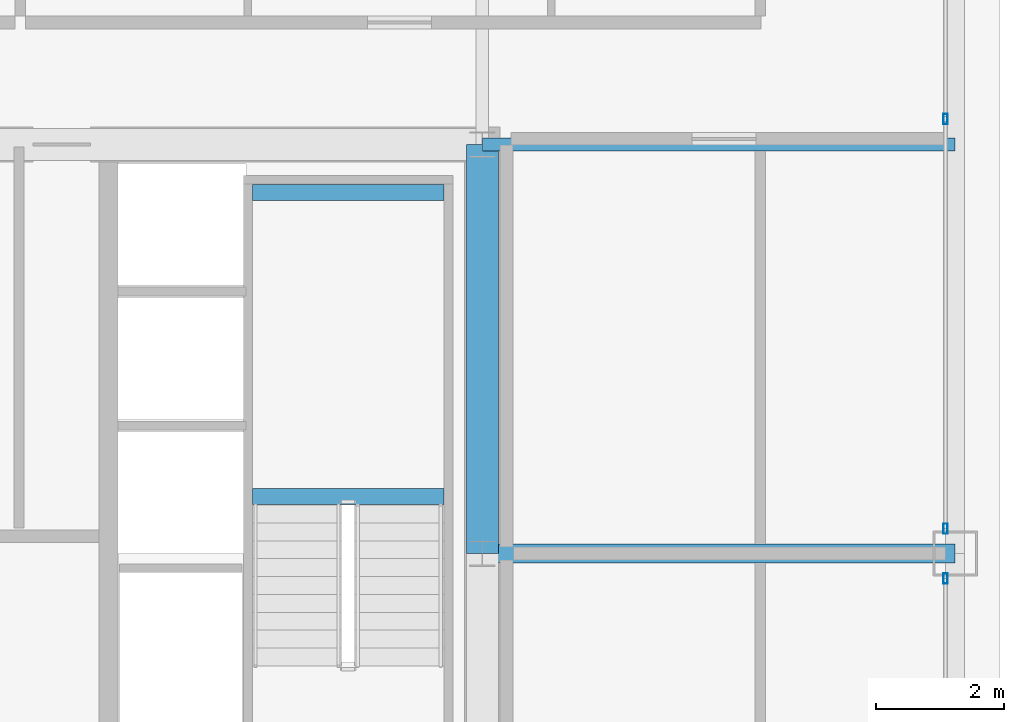
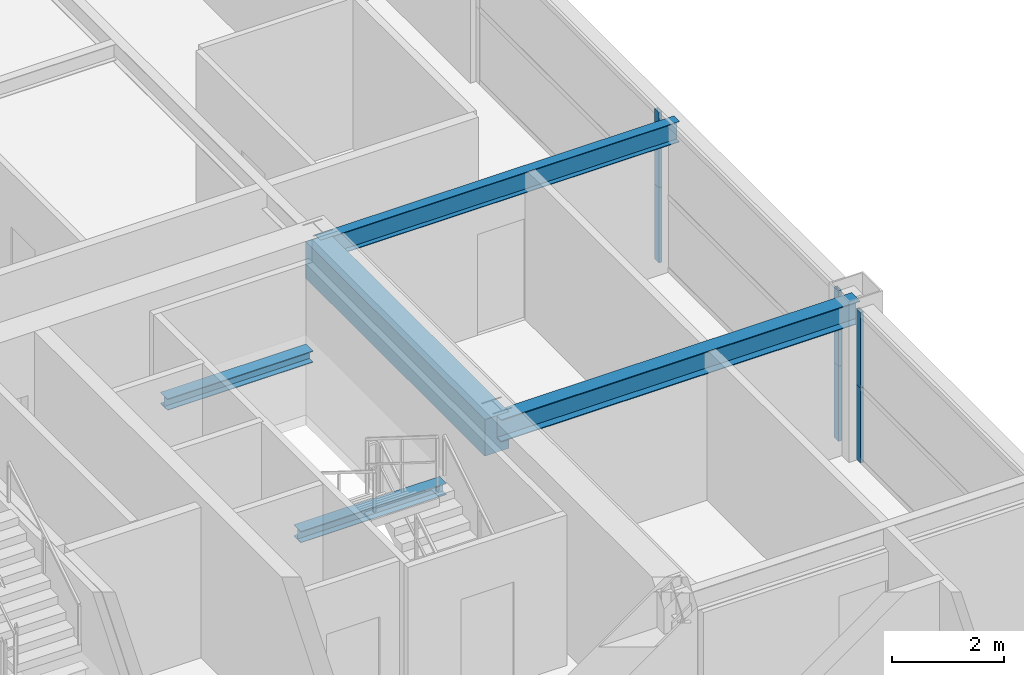
# One storey, part 20 of 36: 6 members, 5 beams, 2 elements without a shape of their own.
"""IFC4 building model written with IfcOpenShell, lengths in metres."""

from ifc_helpers import new_model, si_unit, direction, frame, origin, origin_2d, place, context, subcontext, project, spatial, rectangle, hollow_rectangle, i_section, extrude, source, transform, mapped, material, layer, layer_set, material_profile, profile_set, type_object, element, aggregate, save


model = new_model("IFC4")

# Units and contexts
model_context = context("Model", 3, precision=1e-05, world=origin(), true_north=direction((0.0, 1.0)))
body_context = subcontext(model_context, "Body", "Model", "MODEL_VIEW")
ifc_project = project(units=[si_unit("LENGTHUNIT", "METRE"), si_unit("AREAUNIT", "SQUARE_METRE"), si_unit("VOLUMEUNIT", "CUBIC_METRE"), si_unit("PLANEANGLEUNIT", "RADIAN"), si_unit("MASSUNIT", "GRAM", prefix="KILO"), si_unit("THERMODYNAMICTEMPERATUREUNIT", "KELVIN"), si_unit("POWERUNIT", "WATT")], contexts=[model_context])

# Site, building, storey
site_placement = place(None, origin())
site = spatial("IfcSite", under=ifc_project, at=site_placement, CompositionType="ELEMENT")
building_placement = place(site_placement, origin())
building = spatial("IfcBuilding", under=site, at=building_placement, Name="Yuzanri Waterfront Tower", CompositionType="ELEMENT")
storey_placement = place(building_placement, frame((0.0, 0.0, 238.10009765625)))
storey = spatial("IfcBuildingStorey", under=building, at=storey_placement, Name="L63", CompositionType="ELEMENT", Elevation=238.10009765625)

# Beams
ifc_material_1 = material(Name="Concrete C50", Category="concrete")
ifc_material_profile_1 = material_profile(ifc_material_1, rectangle(XDim=0.5, YDim=0.800048828125, at=origin_2d()), Name="RC 500x800")
ifc_profile_set_1 = profile_set([ifc_material_profile_1], Name="Concrete C50")
beam_type_1 = type_object("IfcBeamType", Name="Core Coupling Lintel Concrete C50 500x800", PredefinedType="LINTEL", material=ifc_profile_set_1)
shared_shape_1 = source(origin(), body_context, "Body", "SweptSolid", [
    extrude(rectangle(XDim=0.5, YDim=0.800048828125, at=origin_2d()), origin(), (0.0, 0.0, 1.0), 6.39990234375),
])
beam_1_placement = place(storey_placement, frame((50.199951171875, 25.800048828125, 2.8798828125), z_axis=(0.0, 1.0, 0.0), x_axis=(-1.0, 0.0, 0.0)))
element("IfcBeam", 1, at=beam_1_placement, inside=storey, type_object=beam_type_1, Name="L63 Core Tie Beam CE2", PredefinedType="LINTEL", context=body_context, shape_type="MappedRepresentation", body=[
    mapped(shared_shape_1, transform((0.0, 0.0, 0.0), scale=1.0)),
])
ifc_material_2 = material(Name="Steel Q355B", Category="steel")
ifc_material_profile_2 = material_profile(ifc_material_2, i_section(OverallWidth=0.300048828125, OverallDepth=0.488037109375, WebThickness=0.010986328125, FlangeThickness=0.01806640625, at=origin_2d()), Name="HM 488x300x11x18")
ifc_profile_set_2 = profile_set([ifc_material_profile_2], Name="Steel Q355B")
beam_type_2 = type_object("IfcBeamType", Name="Primary Floor Girder Q355B HM 488x300", PredefinedType="BEAM", material=ifc_profile_set_2)
shared_shape_2 = source(origin(), body_context, "Body", "SweptSolid", [
    extrude(i_section(OverallWidth=0.300048828125, OverallDepth=0.488037109375, WebThickness=0.010986328125, FlangeThickness=0.01806640625, at=origin_2d()), origin(), (0.0, 0.0, 1.0), 7.400146484375),
])
beam_2_placement = place(storey_placement, frame((50.199951171875, 25.800048828125, 3.035888671875), z_axis=(1.0, 0.0, 0.0), x_axis=(0.0, 1.0, 0.0)))
element("IfcBeam", 2, at=beam_2_placement, inside=storey, type_object=beam_type_2, Name="L63 East Grid Girder", PredefinedType="BEAM", context=body_context, shape_type="MappedRepresentation", body=[
    mapped(shared_shape_2, transform((0.0, 0.0, 0.0), scale=1.0)),
])
ifc_material_3 = material(Name="Steel Q355B", Category="steel")
ifc_material_profile_3 = material_profile(ifc_material_3, i_section(OverallWidth=0.199951171875, OverallDepth=0.449951171875, WebThickness=0.009033203125, FlangeThickness=0.013916015625, at=origin_2d()), Name="HN 450x200x9x14")
ifc_profile_set_3 = profile_set([ifc_material_profile_3], Name="Steel Q355B")
beam_type_3 = type_object("IfcBeamType", Name="Secondary Floor Beam Q355B HN 450x200", PredefinedType="BEAM", material=ifc_profile_set_3)
shared_shape_3 = source(origin(), body_context, "Body", "SweptSolid", [
    extrude(i_section(OverallWidth=0.199951171875, OverallDepth=0.449951171875, WebThickness=0.009033203125, FlangeThickness=0.013916015625, at=origin_2d()), origin(), (0.0, 0.0, 1.0), 7.400146484375),
])
beam_3_placement = place(storey_placement, frame((50.199951171875, 32.199951171875, 3.054931640625), z_axis=(1.0, 0.0, 0.0), x_axis=(0.0, 1.0, 0.0)))
element("IfcBeam", 3, at=beam_3_placement, inside=storey, type_object=beam_type_3, Name="L63 East-North Core Line Beam", PredefinedType="BEAM", context=body_context, shape_type="MappedRepresentation", body=[
    mapped(shared_shape_3, transform((0.0, 0.0, 0.0), scale=1.0)),
])

# Curtain wall, members
ifc_material_4 = material(Name="Anodized Architectural Bronze", Category="metal")
ifc_layer = layer(ifc_material_4, 0.159912109375)
ifc_layer_set = layer_set([ifc_layer], Name="Anodized Architectural Bronze")
curtain_wall_type = type_object("IfcCurtainWallType", Name="Anodized Bronze Mid-Rise Residential Acoustic Unitized Curtain Wall 7200", PredefinedType="NOTDEFINED", material=ifc_layer_set)
curtain_wall_1_placement = place(storey_placement, origin())
curtain_wall_1 = element("IfcCurtainWall", 4, at=curtain_wall_1_placement, inside=storey, type_object=curtain_wall_type, Name="L63 Curtain Wall CW-L63-EL", PredefinedType="NOTDEFINED")
ifc_material_5 = material(Name="Anodized Architectural Bronze", Category="metal")
ifc_material_profile_4 = material_profile(ifc_material_5, hollow_rectangle(XDim=0.06494140625, YDim=0.159912109375, WallThickness=0.00341796875, at=origin_2d()), Name="CWM 65x160")
ifc_profile_set_4 = profile_set([ifc_material_profile_4], Name="Anodized Architectural Bronze")
member_type = type_object("IfcMemberType", Name="Anodized Bronze Upper-Zone Curtain-Wall Mullion 65x160", PredefinedType="MULLION", material=ifc_profile_set_4)
shared_shape_4 = source(origin(), body_context, "Body", "SweptSolid", [
    extrude(hollow_rectangle(XDim=0.06494140625, YDim=0.159912109375, WallThickness=0.00341796875, at=origin_2d()), origin(), (0.0, 0.0, 1.0), 1.637939453125),
])
member_1_placement = place(storey_placement, frame((57.449951171875, 25.409912109375, 0.0), z_axis=(0.0, 0.0, 1.0), x_axis=(1.0, 0.0, 0.0)))
member_1 = element("IfcMember", 5, at=member_1_placement, type_object=member_type, Name="CW-L63-EL Lower Mullion 02", PredefinedType="MULLION", context=body_context, shape_type="MappedRepresentation", body=[
    mapped(shared_shape_4, transform((0.0, 0.0, 0.0), scale=1.0)),
])
member_2_placement = place(storey_placement, frame((57.449951171875, 25.409912109375, 1.641845703125), z_axis=(0.0, 0.0, 1.0), x_axis=(1.0, 0.0, 0.0)))
member_2 = element("IfcMember", 6, at=member_2_placement, type_object=member_type, Name="CW-L63-EL Upper Mullion 02", PredefinedType="MULLION", context=body_context, shape_type="MappedRepresentation", body=[
    mapped(shared_shape_4, transform((0.0, 0.0, 0.0), scale=1.0)),
])
aggregate(curtain_wall_1, [member_1, member_2])

curtain_wall_2_placement = place(storey_placement, origin())
curtain_wall_2 = element("IfcCurtainWall", 7, at=curtain_wall_2_placement, inside=storey, type_object=curtain_wall_type, Name="L63 Curtain Wall CW-L63-ER", PredefinedType="NOTDEFINED")
member_3_placement = place(storey_placement, frame((57.449951171875, 26.18994140625, 0.0), z_axis=(0.0, 0.0, 1.0), x_axis=(1.0, 0.0, 0.0)))
member_3 = element("IfcMember", 8, at=member_3_placement, type_object=member_type, Name="CW-L63-ER Lower Mullion 00", PredefinedType="MULLION", context=body_context, shape_type="MappedRepresentation", body=[
    mapped(shared_shape_4, transform((0.0, 0.0, 0.0), scale=1.0)),
])
member_4_placement = place(storey_placement, frame((57.449951171875, 26.18994140625, 1.641845703125), z_axis=(0.0, 0.0, 1.0), x_axis=(1.0, 0.0, 0.0)))
member_4 = element("IfcMember", 9, at=member_4_placement, type_object=member_type, Name="CW-L63-ER Upper Mullion 00", PredefinedType="MULLION", context=body_context, shape_type="MappedRepresentation", body=[
    mapped(shared_shape_4, transform((0.0, 0.0, 0.0), scale=1.0)),
])
member_5_placement = place(storey_placement, frame((57.449951171875, 32.60009765625, 0.0), z_axis=(0.0, 0.0, 1.0), x_axis=(1.0, 0.0, 0.0)))
member_5 = element("IfcMember", 10, at=member_5_placement, type_object=member_type, Name="CW-L63-ER Lower Mullion 01", PredefinedType="MULLION", context=body_context, shape_type="MappedRepresentation", body=[
    mapped(shared_shape_4, transform((0.0, 0.0, 0.0), scale=1.0)),
])
member_6_placement = place(storey_placement, frame((57.449951171875, 32.60009765625, 1.641845703125), z_axis=(0.0, 0.0, 1.0), x_axis=(1.0, 0.0, 0.0)))
member_6 = element("IfcMember", 11, at=member_6_placement, type_object=member_type, Name="CW-L63-ER Upper Mullion 01", PredefinedType="MULLION", context=body_context, shape_type="MappedRepresentation", body=[
    mapped(shared_shape_4, transform((0.0, 0.0, 0.0), scale=1.0)),
])
aggregate(curtain_wall_2, [member_3, member_4, member_5, member_6])

# Beams
ifc_material_6 = material(Name="Steel Q355B", Category="steel")
ifc_material_profile_5 = material_profile(ifc_material_6, i_section(OverallWidth=0.25, OverallDepth=0.25, WebThickness=0.009033203125, FlangeThickness=0.013916015625, at=origin_2d()), Name="HW 250x250x9x14")
ifc_profile_set_5 = profile_set([ifc_material_profile_5], Name="Steel Q355B")
beam_type_4 = type_object("IfcBeamType", Name="Stair Landing Support Beam Q355B HW 250x250", PredefinedType="BEAM", material=ifc_profile_set_5)
shared_shape_5 = source(origin(), body_context, "Body", "SweptSolid", [
    extrude(i_section(OverallWidth=0.25, OverallDepth=0.25, WebThickness=0.009033203125, FlangeThickness=0.013916015625, at=origin_2d()), origin(), (0.0, 0.0, 1.0), 3.0),
])
for number, where, z_axis, x_axis, name in (
    (12, (46.60009765625, 26.68994140625, 1.4248046875), (1.0, 0.0, 0.0), (0.0, 1.0, 0.0), "L63 Stair Landing Support Beam ST-02-L63-L1-1"),
    (13, (46.60009765625, 31.449951171875, 1.4248046875), (1.0, 0.0, 0.0), (0.0, 1.0, 0.0), "L63 Stair Landing Support Beam ST-02-L63-L1-2"),
):
    element("IfcBeam", number, at=place(storey_placement, frame(where, z_axis=z_axis, x_axis=x_axis)), inside=storey, type_object=beam_type_4, Name=name, PredefinedType="BEAM", context=body_context, shape_type="MappedRepresentation", body=[
        mapped(shared_shape_5, transform((0.0, 0.0, 0.0), scale=1.0)),
    ])

save(model, "model.ifc")
